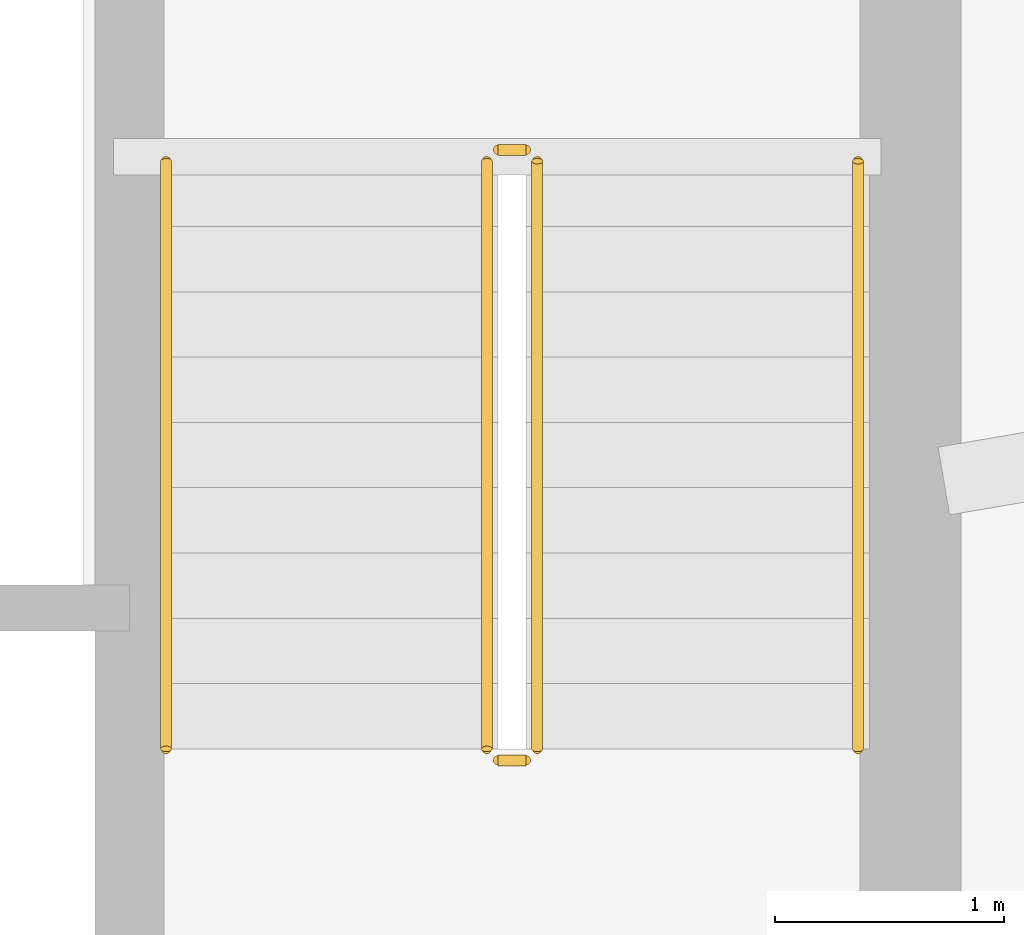
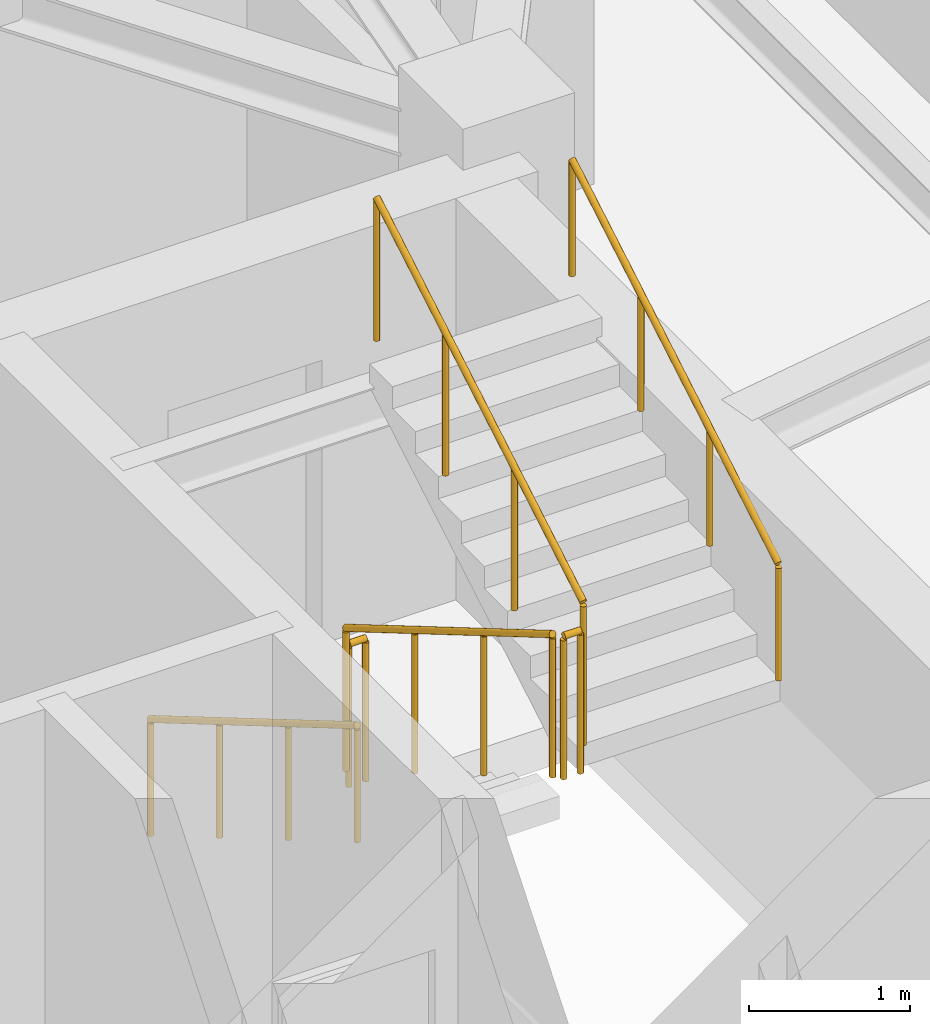
# One storey, part 11 of 11: 6 railings.
"""IFC4 building model written with IfcOpenShell, lengths in metres."""

from ifc_helpers import new_model, si_unit, direction, frame, origin, origin_2d, place, context, subcontext, project, spatial, circle, extrude, material, type_object, element, save


model = new_model("IFC4")

# Units and contexts
model_context = context("Model", 3, precision=1e-05, world=origin(), true_north=direction((0.0, 1.0)))
body_context = subcontext(model_context, "Body", "Model", "MODEL_VIEW")
ifc_project = project(units=[si_unit("LENGTHUNIT", "METRE"), si_unit("AREAUNIT", "SQUARE_METRE"), si_unit("VOLUMEUNIT", "CUBIC_METRE"), si_unit("PLANEANGLEUNIT", "RADIAN"), si_unit("MASSUNIT", "GRAM", prefix="KILO")], contexts=[model_context])

# Site, building, storey
site_placement = place(None, origin())
site = spatial("IfcSite", under=ifc_project, at=site_placement, CompositionType="ELEMENT")
building_placement = place(site_placement, origin())
building = spatial("IfcBuilding", under=site, at=building_placement, Name="Qobustan Lattice House", CompositionType="ELEMENT")
storey_placement = place(building_placement, frame((0.0, 0.0, 251.75)))
storey = spatial("IfcBuildingStorey", under=building, at=storey_placement, Name="L71", CompositionType="ELEMENT", Elevation=251.75)

# Railings
ifc_material_1 = material(Name="Brushed stainless steel handrail", Category="steel")
railing_type_1 = type_object("IfcRailingType", Name="RAL-HR-920", PredefinedType="HANDRAIL", material=ifc_material_1)
railing_1_placement = place(storey_placement, frame((15.179931640625, 3.5, 0.16748046875)))
element("IfcRailing", 1, at=railing_1_placement, inside=storey, type_object=railing_type_1, Name="L71 ST-E1 stair handrail 1", PredefinedType="HANDRAIL", context=body_context, shape_type="SweptSolid", body=[
    extrude(circle(Radius=0.02392578125, at=origin_2d()), frame((0.0, 0.0, 0.8759765625), z_axis=(0.0, -0.862113467892, 0.50671527358), x_axis=(1.0, 0.0, 0.0)), (0.0, 0.0, 1.0), 2.97509765625),
    extrude(circle(Radius=0.02099609375, at=origin_2d()), origin(), (0.0, 0.0, 1.0), 0.851806640625),
    extrude(circle(Radius=0.02099609375, at=origin_2d()), frame((0.0, -0.85498046875, 0.50244140625)), (0.0, 0.0, 1.0), 0.851806640625),
    extrude(circle(Radius=0.02099609375, at=origin_2d()), frame((0.0, -1.7099609375, 1.005126953125)), (0.0, 0.0, 1.0), 0.851806640625),
    extrude(circle(Radius=0.02099609375, at=origin_2d()), frame((0.0, -2.56494140625, 1.507568359375)), (0.0, 0.0, 1.0), 0.851806640625),
])
railing_2_placement = place(storey_placement, frame((18.199951171875, 0.93505859375, 1.842529296875)))
element("IfcRailing", 2, at=railing_2_placement, inside=storey, type_object=railing_type_1, Name="L71 ST-E1 stair handrail 2", PredefinedType="HANDRAIL", context=body_context, shape_type="SweptSolid", body=[
    extrude(circle(Radius=0.02392578125, at=origin_2d()), frame((0.0, 0.0, 0.8759765625), z_axis=(0.0, 0.862113467892, 0.50671527358), x_axis=(-1.0, 0.0, 0.0)), (0.0, 0.0, 1.0), 2.97509765625),
    extrude(circle(Radius=0.02099609375, at=origin_2d()), origin(), (0.0, 0.0, 1.0), 0.851806640625),
    extrude(circle(Radius=0.02099609375, at=origin_2d()), frame((0.0, 0.85498046875, 0.50244140625)), (0.0, 0.0, 1.0), 0.851806640625),
    extrude(circle(Radius=0.02099609375, at=origin_2d()), frame((0.0, 1.7099609375, 1.005126953125)), (0.0, 0.0, 1.0), 0.851806640625),
    extrude(circle(Radius=0.02099609375, at=origin_2d()), frame((0.0, 2.56494140625, 1.507568359375)), (0.0, 0.0, 1.0), 0.851806640625),
])
ifc_material_2 = material(Name="Painted galvanized steel guardrail", Category="steel")
railing_type_2 = type_object("IfcRailingType", Name="RAL-STG-1150", PredefinedType="GUARDRAIL", material=ifc_material_2)
railing_3_placement = place(storey_placement, frame((16.580078125, 3.5, 0.16748046875)))
element("IfcRailing", 3, at=railing_3_placement, inside=storey, type_object=railing_type_2, Name="L71 ST-E1 stair guard 1", PredefinedType="GUARDRAIL", context=body_context, shape_type="SweptSolid", body=[
    extrude(circle(Radius=0.02392578125, at=origin_2d()), frame((0.0, 0.0, 1.076171875), z_axis=(0.0, -0.862113467892, 0.50671527358), x_axis=(1.0, 0.0, 0.0)), (0.0, 0.0, 1.0), 2.97509765625),
    extrude(circle(Radius=0.02099609375, at=origin_2d()), origin(), (0.0, 0.0, 1.0), 1.052001953125),
    extrude(circle(Radius=0.02099609375, at=origin_2d()), frame((0.0, -0.85498046875, 0.50244140625)), (0.0, 0.0, 1.0), 1.052001953125),
    extrude(circle(Radius=0.02099609375, at=origin_2d()), frame((0.0, -1.7099609375, 1.005126953125)), (0.0, 0.0, 1.0), 1.052001953125),
    extrude(circle(Radius=0.02099609375, at=origin_2d()), frame((0.0, -2.56494140625, 1.507568359375)), (0.0, 0.0, 1.0), 1.052001953125),
])
railing_4_placement = place(storey_placement, frame((16.6298828125, 0.885009765625, 1.675048828125)))
element("IfcRailing", 4, at=railing_4_placement, inside=storey, type_object=railing_type_2, Name="L71 ST-E1 stair guard 2", PredefinedType="GUARDRAIL", context=body_context, shape_type="SweptSolid", body=[
    extrude(circle(Radius=0.02392578125, at=origin_2d()), frame((0.0, 0.0, 1.076171875), z_axis=(1.0, 0.0, 0.0), x_axis=(0.0, 1.0, 0.0)), (0.0, 0.0, 1.0), 0.1201171875),
    extrude(circle(Radius=0.02099609375, at=origin_2d()), origin(), (0.0, 0.0, 1.0), 1.052001953125),
    extrude(circle(Radius=0.02099609375, at=origin_2d()), frame((0.1201171875, 0.0, 0.0)), (0.0, 0.0, 1.0), 1.052001953125),
])
railing_5_placement = place(storey_placement, frame((16.800048828125, 0.93505859375, 1.842529296875)))
element("IfcRailing", 5, at=railing_5_placement, inside=storey, type_object=railing_type_2, Name="L71 ST-E1 stair guard 3", PredefinedType="GUARDRAIL", context=body_context, shape_type="SweptSolid", body=[
    extrude(circle(Radius=0.02392578125, at=origin_2d()), frame((0.0, 0.0, 1.076171875), z_axis=(0.0, 0.862113467892, 0.50671527358), x_axis=(-1.0, 0.0, 0.0)), (0.0, 0.0, 1.0), 2.97509765625),
    extrude(circle(Radius=0.02099609375, at=origin_2d()), origin(), (0.0, 0.0, 1.0), 1.052001953125),
    extrude(circle(Radius=0.02099609375, at=origin_2d()), frame((0.0, 0.85498046875, 0.50244140625)), (0.0, 0.0, 1.0), 1.052001953125),
    extrude(circle(Radius=0.02099609375, at=origin_2d()), frame((0.0, 1.7099609375, 1.005126953125)), (0.0, 0.0, 1.0), 1.052001953125),
    extrude(circle(Radius=0.02099609375, at=origin_2d()), frame((0.0, 2.56494140625, 1.507568359375)), (0.0, 0.0, 1.0), 1.052001953125),
])
railing_6_placement = place(storey_placement, frame((16.6298828125, 3.550048828125, 0.0)))
element("IfcRailing", 6, at=railing_6_placement, inside=storey, type_object=railing_type_2, Name="L71 ST-E1 stair guard 4", PredefinedType="GUARDRAIL", context=body_context, shape_type="SweptSolid", body=[
    extrude(circle(Radius=0.02392578125, at=origin_2d()), frame((0.0, 0.0, 1.076171875), z_axis=(1.0, 0.0, 0.0), x_axis=(0.0, 1.0, 0.0)), (0.0, 0.0, 1.0), 0.1201171875),
    extrude(circle(Radius=0.02099609375, at=origin_2d()), origin(), (0.0, 0.0, 1.0), 1.052001953125),
    extrude(circle(Radius=0.02099609375, at=origin_2d()), frame((0.1201171875, 0.0, 0.0)), (0.0, 0.0, 1.0), 1.052001953125),
])

save(model, "model.ifc")
